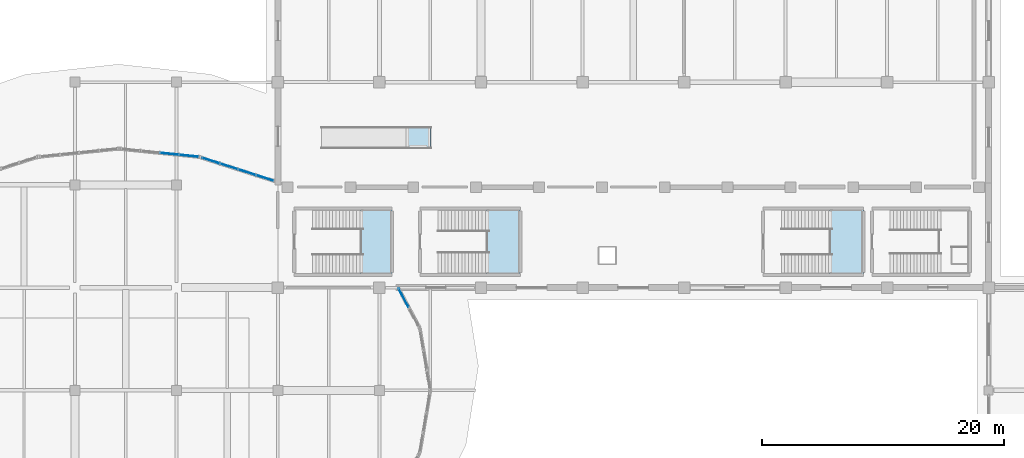
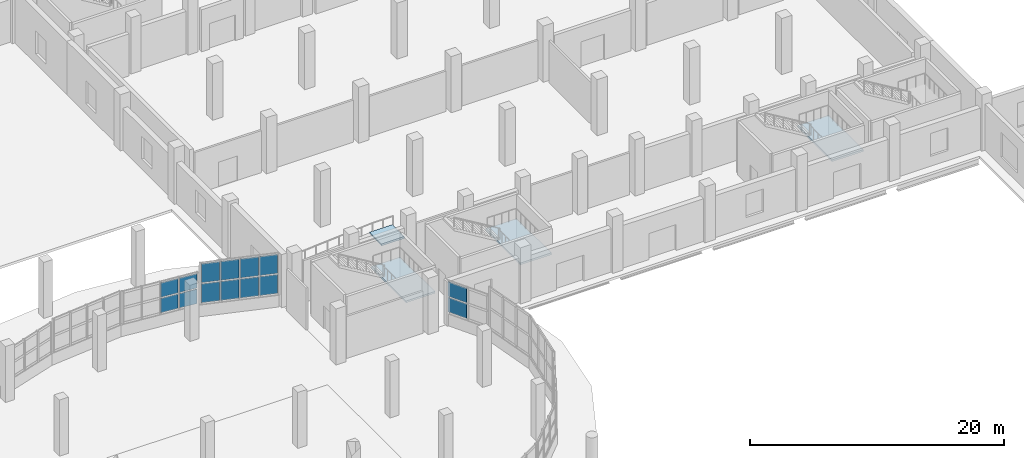
# One storey, part 76 of 107: 14 plates, 4 slabs, 7 elements without a shape of their own.
"""IFC4 building model written with IfcOpenShell, lengths in metres."""

from ifc_helpers import new_model, si_unit, direction, frame, origin, origin_2d, place, context, subcontext, project, spatial, polyline, rectangle, outline, extrude, material, layer, layer_set, type_object, element, aggregate, save


model = new_model("IFC4")

# Units and contexts
model_context = context("Model", 3, precision=1e-05, world=origin(), true_north=direction((0.0, 1.0)))
body_context = subcontext(model_context, "Body", "Model", "MODEL_VIEW")
ifc_project = project(units=[si_unit("LENGTHUNIT", "METRE"), si_unit("AREAUNIT", "SQUARE_METRE"), si_unit("VOLUMEUNIT", "CUBIC_METRE"), si_unit("PLANEANGLEUNIT", "RADIAN"), si_unit("MASSUNIT", "GRAM", prefix="KILO")], contexts=[model_context])

# Site, building, storey
site_placement = place(None, origin())
site = spatial("IfcSite", under=ifc_project, at=site_placement, CompositionType="ELEMENT")
building_placement = place(site_placement, origin())
building = spatial("IfcBuilding", under=site, at=building_placement, Name="Solvento Point Concert Hall", CompositionType="ELEMENT")
storey_placement = place(building_placement, origin())
storey = spatial("IfcBuildingStorey", under=building, at=storey_placement, Name="L00", CompositionType="ELEMENT", Elevation=0.0)

# Curtain wall, plates
ifc_material_1 = material(Name="Anodized Bronze Aluminium", Category="aluminium")
curtain_wall_type = type_object("IfcCurtainWallType", Name="CurtainWall_FoyerL00", PredefinedType="USERDEFINED", material=ifc_material_1)
curtain_wall_1_placement = place(storey_placement, origin())
curtain_wall_1 = element("IfcCurtainWall", 1, at=curtain_wall_1_placement, inside=storey, type_object=curtain_wall_type, Name="Unitised curtain wall CW-29 UCW-L00-012", ObjectType="UNITISED CURTAIN WALL", PredefinedType="USERDEFINED")
ifc_material_2 = material(Name="Hurricane Laminated Low-E Glass", Category="glass")
plate_type = type_object("IfcPlateType", Name="CurtainPanel_FoyerL00", PredefinedType="CURTAIN_PANEL", material=ifc_material_2)
plate_1_placement = place(storey_placement, frame((65.43701171875, 53.567626953125, 1.240234375), z_axis=(0.0, 0.0, 1.0), x_axis=(0.994832267905, -0.101532057676, 0.0)))
plate_1 = element("IfcPlate", 2, at=plate_1_placement, type_object=plate_type, Name="Glazed curtain panel GL-01", PredefinedType="CURTAIN_PANEL", context=body_context, shape_type="SweptSolid", body=[
    extrude(rectangle(XDim=1.49560546875, YDim=0.052001953125, at=origin_2d()), origin(), (0.0, 0.0, 1.0), 1.382568359375),
])
plate_2_placement = place(storey_placement, frame((65.43701171875, 53.567626953125, 2.7421875), z_axis=(0.0, 0.0, 1.0), x_axis=(0.994832267905, -0.101532057676, 0.0)))
plate_2 = element("IfcPlate", 3, at=plate_2_placement, type_object=plate_type, Name="Glazed curtain panel GL-01", PredefinedType="CURTAIN_PANEL", context=body_context, shape_type="SweptSolid", body=[
    extrude(rectangle(XDim=1.49560546875, YDim=0.052001953125, at=origin_2d()), origin(), (0.0, 0.0, 1.0), 1.382568359375),
])
plate_3_placement = place(storey_placement, frame((67.044189453125, 53.403564453125, 1.240234375), z_axis=(0.0, 0.0, 1.0), x_axis=(0.994832267905, -0.101532057676, 0.0)))
plate_3 = element("IfcPlate", 4, at=plate_3_placement, type_object=plate_type, Name="Glazed curtain panel GL-01", PredefinedType="CURTAIN_PANEL", context=body_context, shape_type="SweptSolid", body=[
    extrude(rectangle(XDim=1.49560546875, YDim=0.052001953125, at=origin_2d()), origin(), (0.0, 0.0, 1.0), 1.382568359375),
])
plate_4_placement = place(storey_placement, frame((67.044189453125, 53.403564453125, 2.7421875), z_axis=(0.0, 0.0, 1.0), x_axis=(0.994832267905, -0.101532057676, 0.0)))
plate_4 = element("IfcPlate", 5, at=plate_4_placement, type_object=plate_type, Name="Glazed curtain panel GL-01", PredefinedType="CURTAIN_PANEL", context=body_context, shape_type="SweptSolid", body=[
    extrude(rectangle(XDim=1.49560546875, YDim=0.052001953125, at=origin_2d()), origin(), (0.0, 0.0, 1.0), 1.382568359375),
])
aggregate(curtain_wall_1, [plate_1, plate_2, plate_3, plate_4])

curtain_wall_2_placement = place(storey_placement, origin())
curtain_wall_2 = element("IfcCurtainWall", 6, at=curtain_wall_2_placement, inside=storey, type_object=curtain_wall_type, Name="Unitised curtain wall CW-29 UCW-L00-013", ObjectType="UNITISED CURTAIN WALL", PredefinedType="USERDEFINED")
plate_5_placement = place(storey_placement, frame((68.8349609375, 53.010986328125, 1.23974609375), z_axis=(0.0, 0.0, 1.0), x_axis=(0.952121389331, -0.305720231548, 0.0)))
plate_5 = element("IfcPlate", 7, at=plate_5_placement, type_object=plate_type, Name="Glazed curtain panel GL-01", PredefinedType="CURTAIN_PANEL", context=body_context, shape_type="SweptSolid", body=[
    extrude(rectangle(XDim=1.451416015625, YDim=0.052001953125, at=origin_2d()), origin(), (0.0, 0.0, 1.0), 1.820068359375),
])
plate_6_placement = place(storey_placement, frame((68.8349609375, 53.010986328125, 3.18017578125), z_axis=(0.0, 0.0, 1.0), x_axis=(0.952121389331, -0.305720231548, 0.0)))
plate_6 = element("IfcPlate", 8, at=plate_6_placement, type_object=plate_type, Name="Glazed curtain panel GL-01", PredefinedType="CURTAIN_PANEL", context=body_context, shape_type="SweptSolid", body=[
    extrude(rectangle(XDim=1.451416015625, YDim=0.052001953125, at=origin_2d()), origin(), (0.0, 0.0, 1.0), 1.820068359375),
])
plate_7_placement = place(storey_placement, frame((70.3310546875, 52.53076171875, 1.23974609375), z_axis=(0.0, 0.0, 1.0), x_axis=(0.952121389331, -0.305720231548, 0.0)))
plate_7 = element("IfcPlate", 9, at=plate_7_placement, type_object=plate_type, Name="Glazed curtain panel GL-01", PredefinedType="CURTAIN_PANEL", context=body_context, shape_type="SweptSolid", body=[
    extrude(rectangle(XDim=1.451416015625, YDim=0.052001953125, at=origin_2d()), origin(), (0.0, 0.0, 1.0), 1.820068359375),
])
plate_8_placement = place(storey_placement, frame((70.3310546875, 52.53076171875, 3.18017578125), z_axis=(0.0, 0.0, 1.0), x_axis=(0.952121389331, -0.305720231548, 0.0)))
plate_8 = element("IfcPlate", 10, at=plate_8_placement, type_object=plate_type, Name="Glazed curtain panel GL-01", PredefinedType="CURTAIN_PANEL", context=body_context, shape_type="SweptSolid", body=[
    extrude(rectangle(XDim=1.451416015625, YDim=0.052001953125, at=origin_2d()), origin(), (0.0, 0.0, 1.0), 1.820068359375),
])
plate_9_placement = place(storey_placement, frame((71.827392578125, 52.05029296875, 1.23974609375), z_axis=(0.0, 0.0, 1.0), x_axis=(0.952121389331, -0.305720231548, 0.0)))
plate_9 = element("IfcPlate", 11, at=plate_9_placement, type_object=plate_type, Name="Glazed curtain panel GL-01", PredefinedType="CURTAIN_PANEL", context=body_context, shape_type="SweptSolid", body=[
    extrude(rectangle(XDim=1.451416015625, YDim=0.052001953125, at=origin_2d()), origin(), (0.0, 0.0, 1.0), 1.820068359375),
])
plate_10_placement = place(storey_placement, frame((71.827392578125, 52.05029296875, 3.18017578125), z_axis=(0.0, 0.0, 1.0), x_axis=(0.952121389331, -0.305720231548, 0.0)))
plate_10 = element("IfcPlate", 12, at=plate_10_placement, type_object=plate_type, Name="Glazed curtain panel GL-01", PredefinedType="CURTAIN_PANEL", context=body_context, shape_type="SweptSolid", body=[
    extrude(rectangle(XDim=1.451416015625, YDim=0.052001953125, at=origin_2d()), origin(), (0.0, 0.0, 1.0), 1.820068359375),
])
plate_11_placement = place(storey_placement, frame((73.323486328125, 51.56982421875, 1.23974609375), z_axis=(0.0, 0.0, 1.0), x_axis=(0.952121389331, -0.305720231548, 0.0)))
plate_11 = element("IfcPlate", 13, at=plate_11_placement, type_object=plate_type, Name="Glazed curtain panel GL-01", PredefinedType="CURTAIN_PANEL", context=body_context, shape_type="SweptSolid", body=[
    extrude(rectangle(XDim=1.451416015625, YDim=0.052001953125, at=origin_2d()), origin(), (0.0, 0.0, 1.0), 1.820068359375),
])
plate_12_placement = place(storey_placement, frame((73.323486328125, 51.56982421875, 3.18017578125), z_axis=(0.0, 0.0, 1.0), x_axis=(0.952121389331, -0.305720231548, 0.0)))
plate_12 = element("IfcPlate", 14, at=plate_12_placement, type_object=plate_type, Name="Glazed curtain panel GL-01", PredefinedType="CURTAIN_PANEL", context=body_context, shape_type="SweptSolid", body=[
    extrude(rectangle(XDim=1.451416015625, YDim=0.052001953125, at=origin_2d()), origin(), (0.0, 0.0, 1.0), 1.820068359375),
])
aggregate(curtain_wall_2, [plate_5, plate_6, plate_7, plate_8, plate_9, plate_10, plate_11, plate_12])

curtain_wall_3_placement = place(storey_placement, origin())
curtain_wall_3 = element("IfcCurtainWall", 15, at=curtain_wall_3_placement, inside=storey, type_object=curtain_wall_type, Name="Unitised curtain wall CW-29 UCW-L00-014", ObjectType="UNITISED CURTAIN WALL", PredefinedType="USERDEFINED")
plate_13_placement = place(storey_placement, frame((84.7958984375, 41.656005859375, 1.239990234375), z_axis=(0.0, 0.0, 1.0), x_axis=(0.471272053434, -0.881987897679, 0.0)))
plate_13 = element("IfcPlate", 16, at=plate_13_placement, type_object=plate_type, Name="Glazed curtain panel GL-01", PredefinedType="CURTAIN_PANEL", context=body_context, shape_type="SweptSolid", body=[
    extrude(rectangle(XDim=1.734130859375, YDim=0.052001953125, at=origin_2d()), origin(), (0.0, 0.0, 1.0), 1.3955078125),
])
plate_14_placement = place(storey_placement, frame((84.7958984375, 41.656005859375, 2.75537109375), z_axis=(0.0, 0.0, 1.0), x_axis=(0.471272053434, -0.881987897679, 0.0)))
plate_14 = element("IfcPlate", 17, at=plate_14_placement, type_object=plate_type, Name="Glazed curtain panel GL-01", PredefinedType="CURTAIN_PANEL", context=body_context, shape_type="SweptSolid", body=[
    extrude(rectangle(XDim=1.734130859375, YDim=0.052001953125, at=origin_2d()), origin(), (0.0, 0.0, 1.0), 1.3955078125),
])
aggregate(curtain_wall_3, [plate_13, plate_14])

# Stair, slab
ifc_material_3 = material(Name="Concrete C35/45", Category="concrete")
stair_type_1 = type_object("IfcStairType", Name="CoreStair_1760", PredefinedType="HALF_TURN_STAIR", material=ifc_material_3)
stair_1_placement = place(storey_placement, origin())
stair_1 = element("IfcStair", 18, at=stair_1_placement, inside=storey, type_object=stair_type_1, Name="Protected exit stair ST-06 (L00 to L01)", PredefinedType="HALF_TURN_STAIR")
ifc_material_4 = material(Name="Concrete C35/45", Category="concrete")
ifc_layer = layer(ifc_material_4, 0.179931640625)
ifc_layer_set = layer_set([ifc_layer], Name="Concrete C35/45")
slab_type = type_object("IfcSlabType", Name="StairLanding_180", PredefinedType="LANDING", material=ifc_layer_set)
slab_1_placement = place(storey_placement, frame((0.0, 0.0, 2.52001953125)))
slab_1 = element("IfcSlab", 19, at=slab_1_placement, type_object=slab_type, Name="Stair half-landing ST-06 L00", PredefinedType="LANDING", context=body_context, shape_type="SweptSolid", body=[
    extrude(outline(polyline([(91.60009765625, 43.56005859375), (94.43994140625, 43.56005859375), (94.43994140625, 49.0400390625), (91.60009765625, 49.0400390625), (91.60009765625, 43.56005859375)])), origin(), (0.0, 0.0, 1.0), 0.179931640625),
])
aggregate(stair_1, [slab_1])

ifc_material_5 = material(Name="Concrete C35/45", Category="concrete")
stair_type_2 = type_object("IfcStairType", Name="CoreStair_1600", PredefinedType="HALF_TURN_STAIR", material=ifc_material_5)
stair_2_placement = place(storey_placement, origin())
stair_2 = element("IfcStair", 20, at=stair_2_placement, inside=storey, type_object=stair_type_2, Name="Protected exit stair ST-07 (L00 to L01)", PredefinedType="HALF_TURN_STAIR")
slab_2_placement = place(storey_placement, frame((0.0, 0.0, 2.52001953125)))
slab_2 = element("IfcSlab", 21, at=slab_2_placement, type_object=slab_type, Name="Stair half-landing ST-07 L00", PredefinedType="LANDING", context=body_context, shape_type="SweptSolid", body=[
    extrude(outline(polyline([(120.0, 43.56005859375), (122.840087890625, 43.56005859375), (122.840087890625, 49.0400390625), (120.0, 49.0400390625), (120.0, 43.56005859375)])), origin(), (0.0, 0.0, 1.0), 0.179931640625),
])
aggregate(stair_2, [slab_2])

stair_3_placement = place(storey_placement, origin())
stair_3 = element("IfcStair", 22, at=stair_3_placement, inside=storey, type_object=stair_type_2, Name="Auditorium vomitory exit stair VOM-01 (L00 to L01)", PredefinedType="HALF_TURN_STAIR")
slab_3_placement = place(storey_placement, frame((0.0, 0.0, 2.52001953125)))
slab_3 = element("IfcSlab", 23, at=slab_3_placement, type_object=slab_type, Name="Stair half-landing VOM-01 L00", PredefinedType="LANDING", context=body_context, shape_type="SweptSolid", body=[
    extrude(outline(polyline([(81.199951171875, 43.56005859375), (83.840087890625, 43.56005859375), (83.840087890625, 49.0400390625), (81.199951171875, 49.0400390625), (81.199951171875, 43.56005859375)])), origin(), (0.0, 0.0, 1.0), 0.179931640625),
])
aggregate(stair_3, [slab_3])

# Ramp, slab
ifc_material_6 = material(Name="Concrete C35/45", Category="concrete")
ramp_type = type_object("IfcRampType", Name="PedestrianADARamp", PredefinedType="STRAIGHT_RUN_RAMP", material=ifc_material_6)
ramp_placement = place(storey_placement, origin())
ramp = element("IfcRamp", 24, at=ramp_placement, inside=storey, type_object=ramp_type, Name="Accessible 1:12 pedestrian ramp RMP-H1", PredefinedType="STRAIGHT_RUN_RAMP")
slab_4_placement = place(storey_placement, frame((0.0, 0.0, 0.3701171875)))
slab_4 = element("IfcSlab", 25, at=slab_4_placement, type_object=slab_type, Name="Accessible ramp top landing RMP-H1", PredefinedType="LANDING", context=body_context, shape_type="SweptSolid", body=[
    extrude(outline(polyline([(84.97998046875, 53.9599609375), (87.050048828125, 53.9599609375), (87.050048828125, 55.840087890625), (84.97998046875, 55.840087890625), (84.97998046875, 53.9599609375)])), origin(), (0.0, 0.0, 1.0), 0.179931640625),
])
aggregate(ramp, [slab_4])

save(model, "model.ifc")
